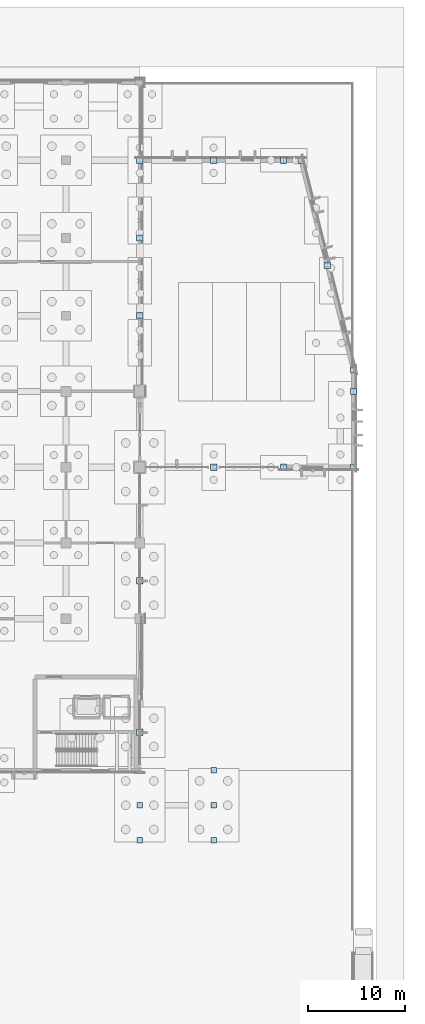
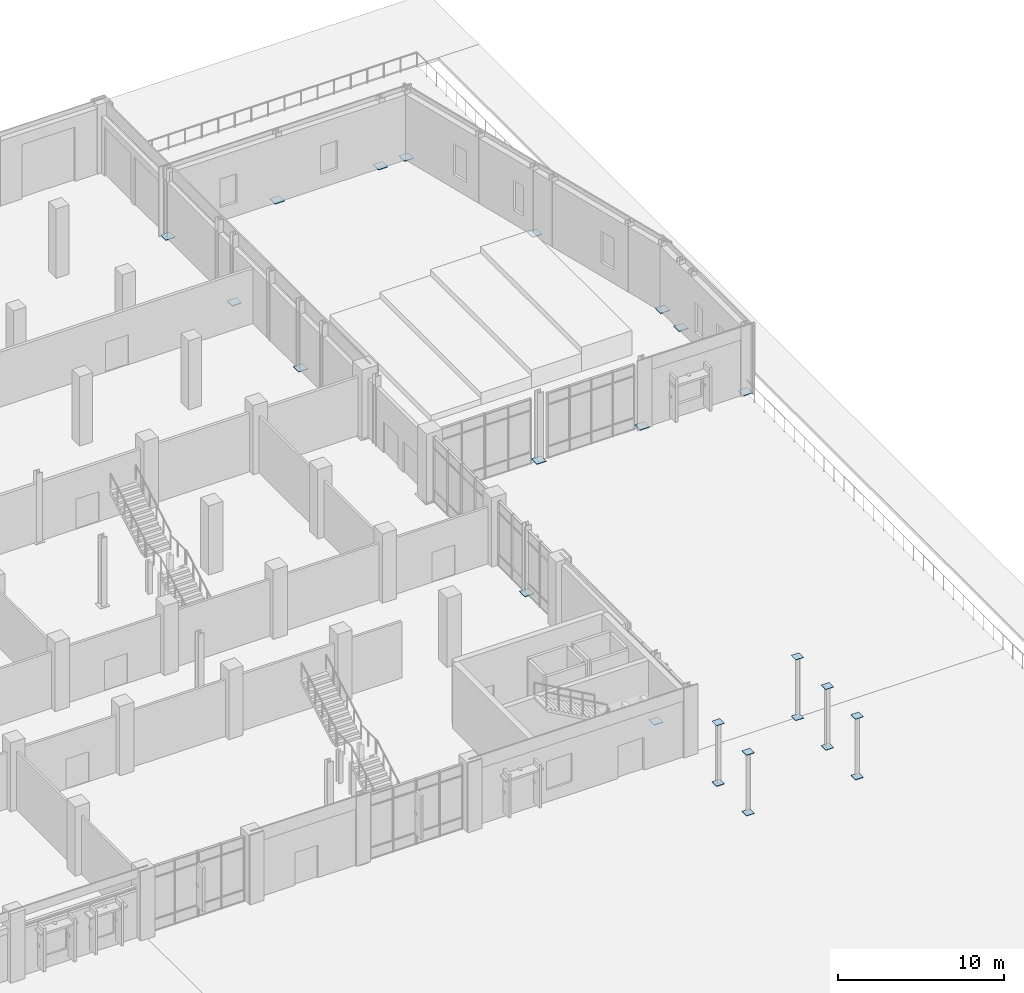
# One storey, part 60 of 94: 24 plates.
"""IFC4 building model written with IfcOpenShell, lengths in metres."""

import ifcopenshell
import ifcopenshell.guid

model = None  # the IFC model being written
_history = None  # IfcOwnerHistory: only IFC2X3 demands one
_inside = {}  # id of a spatial element -> (the spatial element, [elements in it])
_under = {}  # id of a project, library or spatial element -> (it, [spatial elements below it])
_declared = {}  # id of a project -> (the project, [libraries it declares])
_typed = {}  # id of a type object -> (the type object, [elements of that type])
_made_of = {}  # id of a material, layer set ... -> (it, [elements and type objects made of it])


def new_model(schema):
    """Start an empty IFC model of exactly this schema.

    Asked for "IFC4X3", IfcOpenShell would pick the latest addendum, in which some entities
    have other attributes; the version numbers below select the first issue.
    IFC2X3 requires an IfcOwnerHistory on every rooted entity: one is made here for all.
    """
    global model, _history
    if schema == "IFC4X3":
        model = ifcopenshell.file(schema_version=(4, 3, 0, 0))
    else:
        model = ifcopenshell.file(schema=schema)
    _inside.clear()
    _under.clear()
    _declared.clear()
    _typed.clear()
    _made_of.clear()
    _history = None
    if model.schema == "IFC2X3":
        org = make("IfcOrganization", Name="unknown")
        user = make(
            "IfcPersonAndOrganization",
            ThePerson=make("IfcPerson", FamilyName="unknown"),
            TheOrganization=org,
        )
        app = make(
            "IfcApplication",
            ApplicationDeveloper=org,
            Version="unknown",
            ApplicationFullName="unknown",
            ApplicationIdentifier="unknown",
        )
        _history = make(
            "IfcOwnerHistory",
            OwningUser=user,
            OwningApplication=app,
            ChangeAction="ADDED",
            CreationDate=0,
        )
    return model


def make(cls, **values):
    """One entity of the class cls with the attributes given. An attribute that is None is left unset."""
    return model.create_entity(
        cls, **{name: value for name, value in values.items() if value is not None}
    )


def rooted(cls, **values):
    """An entity with a GlobalId (a new one), such as an element, a storey or a relation."""
    return make(cls, GlobalId=ifcopenshell.guid.new(), OwnerHistory=_history, **values)


def si_unit(unit_type, name, prefix=None):
    """IfcSIUnit, for example si_unit("LENGTHUNIT", "METRE", prefix="MILLI")."""
    return make("IfcSIUnit", UnitType=unit_type, Prefix=prefix, Name=name)


def assignment(units):
    """IfcUnitAssignment: the units of a project."""
    return None if units is None else make("IfcUnitAssignment", Units=units)


def point(xyz):
    """IfcCartesianPoint."""
    return None if xyz is None else make("IfcCartesianPoint", Coordinates=xyz)


def direction(xyz):
    """IfcDirection."""
    return None if xyz is None else make("IfcDirection", DirectionRatios=xyz)


def frame(location, z_axis=None, x_axis=None):
    """IfcAxis2Placement3D, a coordinate frame: its origin and axes. An axis left out is left unset."""
    return make(
        "IfcAxis2Placement3D",
        Location=point(location),
        Axis=direction(z_axis),
        RefDirection=direction(x_axis),
    )


def frame_2d(location, x_axis=None):
    """IfcAxis2Placement2D, a coordinate frame in the plane: its origin and x axis."""
    return make(
        "IfcAxis2Placement2D", Location=point(location), RefDirection=direction(x_axis)
    )


def origin():
    """The frame at (0, 0, 0) with its axes left unset."""
    return frame((0.0, 0.0, 0.0))


def origin_2d():
    """The frame at (0, 0) in the plane with its x axis left unset."""
    return frame_2d((0.0, 0.0))


def place(relative_to, where):
    """IfcLocalPlacement: puts the frame where relative to a parent placement (None: the world)."""
    return make(
        "IfcLocalPlacement", PlacementRelTo=relative_to, RelativePlacement=where
    )


def context(
    kind, dimensions, precision=None, world=None, true_north=None, identifier=None
):
    """IfcGeometricRepresentationContext, for example the 3D "Model" context."""
    return make(
        "IfcGeometricRepresentationContext",
        ContextIdentifier=identifier,
        ContextType=kind,
        CoordinateSpaceDimension=dimensions,
        Precision=precision,
        WorldCoordinateSystem=world,
        TrueNorth=true_north,
    )


def subcontext(parent, identifier, kind, view, scale=None):
    """IfcGeometricRepresentationSubContext, for example "Body" below "Model"."""
    return make(
        "IfcGeometricRepresentationSubContext",
        ContextIdentifier=identifier,
        ContextType=kind,
        ParentContext=parent,
        TargetScale=scale,
        TargetView=view,
    )


def project(units=None, contexts=None):
    """IfcProject with its units and contexts."""
    return rooted(
        "IfcProject",
        Name="project",
        RepresentationContexts=contexts,
        UnitsInContext=assignment(units),
    )


def spatial(cls, under=None, at=None, **own):
    """A site, building, storey or space (cls), placed at a placement, below another one or the project."""
    s = rooted(cls, ObjectPlacement=at, **own)
    if under is not None:
        _under.setdefault(under.id(), (under, []))[1].append(s)
    return s


def profile(cls, at=None, kind="AREA", **sizes):
    """A parametric profile (cls). Its sizes go by their IFC names, for example OverallWidth=200.0."""
    return make(cls, ProfileType=kind, Position=at, **sizes)


def rectangle(**sizes):
    """IfcRectangleProfileDef."""
    return profile("IfcRectangleProfileDef", **sizes)


def extrude(swept, where, along, depth):
    """IfcExtrudedAreaSolid: the profile swept, set in the frame where, extruded along a direction by depth."""
    return make(
        "IfcExtrudedAreaSolid",
        SweptArea=swept,
        Position=where,
        ExtrudedDirection=direction(along),
        Depth=depth,
    )


def shape(context_of_items, identifier, shape_type, items):
    """IfcShapeRepresentation: the items that make up one representation, for example the "Body"."""
    return make(
        "IfcShapeRepresentation",
        ContextOfItems=context_of_items,
        RepresentationIdentifier=identifier,
        RepresentationType=shape_type,
        Items=items,
    )


def material(Name=None, Category=None):
    """IfcMaterial."""
    return make("IfcMaterial", Name=Name, Category=Category)


def layer(
    of_material, thickness, ventilated=None, Name=None, Category=None, Priority=None
):
    """IfcMaterialLayer: one layer of a wall or slab, of a material (None: an air gap)."""
    return make(
        "IfcMaterialLayer",
        Material=of_material,
        LayerThickness=thickness,
        IsVentilated=ventilated,
        Name=Name,
        Category=Category,
        Priority=Priority,
    )


def layer_set(layers, Name=None):
    """IfcMaterialLayerSet."""
    return make("IfcMaterialLayerSet", MaterialLayers=layers, LayerSetName=Name)


def made_of(thing, what):
    """Note that an element or type object is made of a material, layer set ...; save() writes the relation."""
    if what is not None:
        _made_of.setdefault(what.id(), (what, []))[1].append(thing)
    return thing


def type_object(cls, material=None, **own):
    """A type object (cls), such as IfcWallType, which elements share."""
    return made_of(rooted(cls, **own), material)


def element(
    cls,
    number,
    at=None,
    inside=None,
    cuts=None,
    type_object=None,
    material=None,
    context=None,
    identifier="Body",
    shape_type=None,
    held_by="IfcProductDefinitionShape",
    body=None,
    shapes=None,
    **own,
):
    """One element of the class cls, such as IfcWall. Its Tag is "e" and its number.

    at: its placement. inside: the storey or other place that contains it. cuts: it is an
    opening in that element (IfcRelVoidsElement). A single representation is given by context,
    identifier, shape_type and body (its items); several are given by shapes. held_by: the class
    of the entity that holds the representations. save() writes the other relations.
    """
    e = rooted(cls, Tag="e%d" % number, ObjectPlacement=at, **own)
    if body is not None:
        shapes = [shape(context, identifier, shape_type, body)]
    if shapes is not None:
        e.Representation = make(held_by, Representations=shapes)
    if inside is not None:
        _inside.setdefault(inside.id(), (inside, []))[1].append(e)
    if cuts is not None:
        rooted(
            "IfcRelVoidsElement", RelatingBuildingElement=cuts, RelatedOpeningElement=e
        )
    if type_object is not None:
        _typed.setdefault(type_object.id(), (type_object, []))[1].append(e)
    return made_of(e, material)


def aggregate(whole, parts):
    """IfcRelAggregates: a whole, such as a stair, and the parts it consists of."""
    return rooted("IfcRelAggregates", RelatingObject=whole, RelatedObjects=parts)


def save(model, path):
    """Write the relations noted so far, then the file.

    IfcRelAggregates (storeys below a building ...), IfcRelContainedInSpatialStructure (elements
    in a storey), IfcRelDefinesByType, IfcRelAssociatesMaterial and IfcRelDeclares: one each for
    every whole, place, type object, material and project.
    """
    for whole, parts in _under.values():
        aggregate(whole, parts)
    for where, things in _inside.values():
        rooted(
            "IfcRelContainedInSpatialStructure",
            RelatedElements=things,
            RelatingStructure=where,
        )
    for kind, things in _typed.values():
        rooted("IfcRelDefinesByType", RelatedObjects=things, RelatingType=kind)
    for what, things in _made_of.values():
        rooted("IfcRelAssociatesMaterial", RelatedObjects=things, RelatingMaterial=what)
    for by, libraries in _declared.values():
        rooted("IfcRelDeclares", RelatingContext=by, RelatedDefinitions=libraries)
    model.write(path)


model = new_model("IFC4")

# Units and contexts
model_context = context("Model", 3, precision=1e-05, world=origin(), true_north=direction((0.0, 1.0)))
body_context = subcontext(model_context, "Body", "Model", "MODEL_VIEW")
ifc_project = project(units=[si_unit("LENGTHUNIT", "METRE"), si_unit("AREAUNIT", "SQUARE_METRE"), si_unit("VOLUMEUNIT", "CUBIC_METRE"), si_unit("PLANEANGLEUNIT", "RADIAN"), si_unit("MASSUNIT", "GRAM", prefix="KILO")], contexts=[model_context])

# Site, building, storey
site_placement = place(None, origin())
site = spatial("IfcSite", under=ifc_project, at=site_placement, CompositionType="ELEMENT")
building_placement = place(site_placement, origin())
building = spatial("IfcBuilding", under=site, at=building_placement, Name="Vervanel Yard Central Library", CompositionType="ELEMENT")
storey_placement = place(building_placement, origin())
storey = spatial("IfcBuildingStorey", under=building, at=storey_placement, Name="L00", CompositionType="ELEMENT", Elevation=0.0)

# Plates
ifc_material = material(Name="Steel ASTM A572 Grade 50", Category="steel")
ifc_layer_1 = layer(ifc_material, 0.030029296875, Category="steel")
ifc_layer_set_1 = layer_set([ifc_layer_1], Name="Steel ASTM A572 Grade 50")
plate_type_1 = type_object("IfcPlateType", Name="Bridge Pier Base Plate 30", PredefinedType="SHEET", material=ifc_layer_set_1)
for number, where, z_axis, x_axis, name in (
    (1, (146.0, 36.0, 0.0), (0.0, 0.0, 1.0), (1.0, 0.0, 0.0), "L00 Column Base Plate 44"),
    (2, (153.60009765625, 36.0, 0.0), (0.0, 0.0, 1.0), (1.0, 0.0, 0.0), "L00 Column Base Plate 50"),
    (3, (146.0, 39.60009765625, 0.0), (0.0, 0.0, 1.0), (1.0, 0.0, 0.0), "L00 Column Base Plate 60"),
    (4, (153.60009765625, 39.60009765625, 0.0), (0.0, 0.0, 1.0), (1.0, 0.0, 0.0), "L00 Column Base Plate 61"),
    (5, (153.60009765625, 43.199951171875, 0.0), (0.0, 0.0, 1.0), (1.0, 0.0, 0.0), "L00 Column Base Plate 65"),
    (6, (146.0, 36.0, 4.46240234375), (0.0, 0.0, 1.0), (1.0, 0.0, 0.0), "L00 HSS Column Top Cap Plate 1"),
    (7, (153.60009765625, 36.0, 4.46240234375), (0.0, 0.0, 1.0), (1.0, 0.0, 0.0), "L00 HSS Column Top Cap Plate 2"),
    (8, (146.0, 39.60009765625, 4.46240234375), (0.0, 0.0, 1.0), (1.0, 0.0, 0.0), "L00 HSS Column Top Cap Plate 3"),
    (9, (153.60009765625, 39.60009765625, 4.46240234375), (0.0, 0.0, 1.0), (1.0, 0.0, 0.0), "L00 HSS Column Top Cap Plate 4"),
    (10, (153.60009765625, 43.199951171875, 4.46240234375), (0.0, 0.0, 1.0), (1.0, 0.0, 0.0), "L00 HSS Column Top Cap Plate 8"),
):
    element("IfcPlate", number, at=place(storey_placement, frame(where, z_axis=z_axis, x_axis=x_axis)), inside=storey, type_object=plate_type_1, Name=name, PredefinedType="SHEET", context=body_context, shape_type="SweptSolid", body=[
        extrude(rectangle(XDim=0.550048828125, YDim=0.550048828125, at=origin_2d()), origin(), (0.0, 0.0, 1.0), 0.030029296875),
    ])
ifc_layer_2 = layer(ifc_material, 0.035888671875, Category="steel")
ifc_layer_set_2 = layer_set([ifc_layer_2], Name="Steel ASTM A572 Grade 50")
plate_type_2 = type_object("IfcPlateType", Name="Steel Column Base Plate 36", PredefinedType="SHEET", material=ifc_layer_set_2)
for number, where, z_axis, x_axis, name in (
    (11, (146.0, 90.0, 0.0), (0.0, 0.0, 1.0), (1.0, 0.0, 0.0), "L00 Column Base Plate 47"),
    (12, (146.0, 98.0, 0.0), (0.0, 0.0, 1.0), (1.0, 0.0, 0.0), "L00 Column Base Plate 48"),
    (13, (146.0, 106.0, 0.0), (0.0, 0.0, 1.0), (1.0, 0.0, 0.0), "L00 Column Base Plate 49"),
    (14, (153.60009765625, 74.39990234375, 0.0), (0.0, 0.0, 1.0), (1.0, 0.0, 0.0), "L00 Column Base Plate 51"),
    (15, (153.60009765625, 106.0, 0.0), (0.0, 0.0, 1.0), (1.0, 0.0, 0.0), "L00 Column Base Plate 52"),
    (16, (160.800048828125, 74.39990234375, 0.0), (0.0, 0.0, 1.0), (1.0, 0.0, 0.0), "L00 Column Base Plate 53"),
    (17, (160.800048828125, 106.0, 0.0), (0.0, 0.0, 1.0), (1.0, 0.0, 0.0), "L00 Column Base Plate 54"),
    (18, (162.60009765625, 106.0, 0.0), (0.0, 0.0, 1.0), (1.0, 0.0, 0.0), "L00 Column Base Plate 55"),
    (19, (165.300048828125, 95.199951171875, 0.0), (0.0, 0.0, 1.0), (1.0, 0.0, 0.0), "L00 Column Base Plate 56"),
    (20, (168.0, 74.39990234375, 0.0), (0.0, 0.0, 1.0), (1.0, 0.0, 0.0), "L00 Column Base Plate 57"),
    (21, (168.0, 82.199951171875, 0.0), (0.0, 0.0, 1.0), (1.0, 0.0, 0.0), "L00 Column Base Plate 58"),
    (22, (168.0, 84.39990234375, 0.0), (0.0, 0.0, 1.0), (1.0, 0.0, 0.0), "L00 Column Base Plate 59"),
    (23, (146.0, 47.10009765625, 0.0), (0.0, 0.0, 1.0), (1.0, 0.0, 0.0), "L00 Column Base Plate 67"),
    (24, (146.0, 62.699951171875, 0.0), (0.0, 0.0, 1.0), (1.0, 0.0, 0.0), "L00 Column Base Plate 69"),
):
    element("IfcPlate", number, at=place(storey_placement, frame(where, z_axis=z_axis, x_axis=x_axis)), inside=storey, type_object=plate_type_2, Name=name, PredefinedType="SHEET", context=body_context, shape_type="SweptSolid", body=[
        extrude(rectangle(XDim=0.64990234375, YDim=0.64990234375, at=origin_2d()), origin(), (0.0, 0.0, 1.0), 0.035888671875),
    ])

save(model, "model.ifc")
